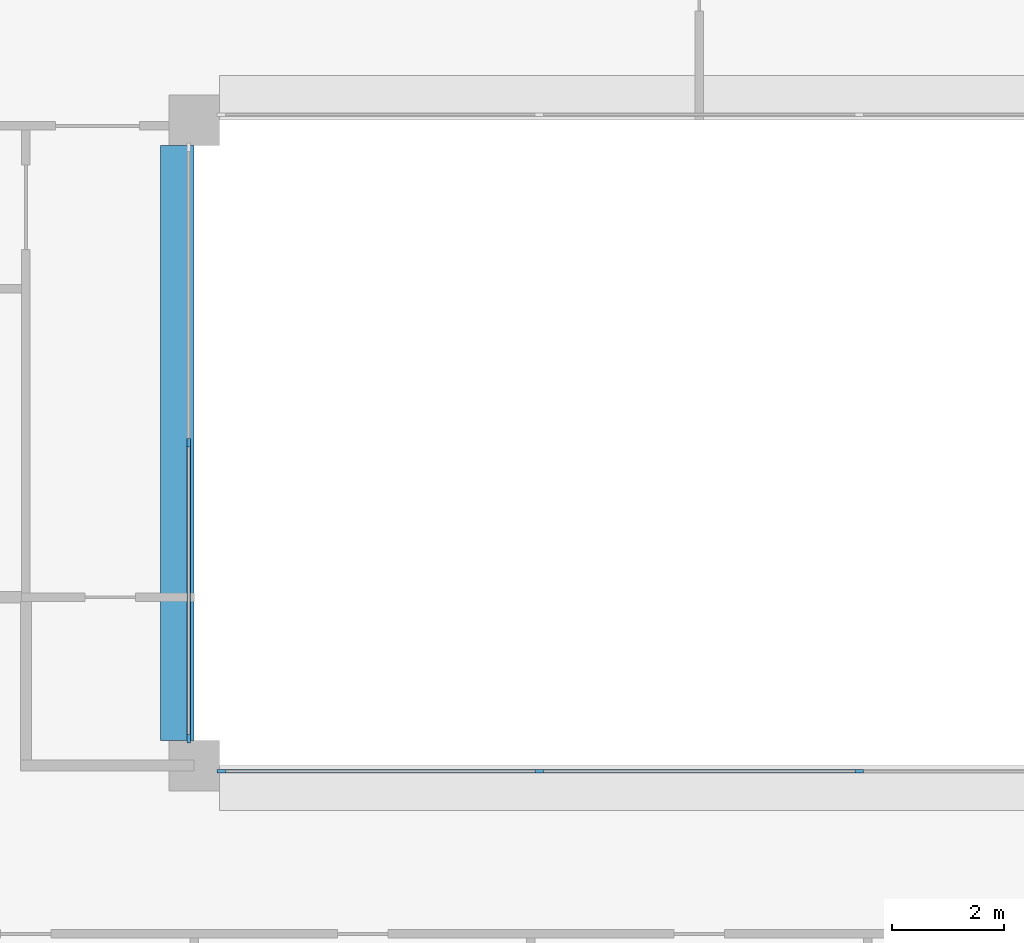
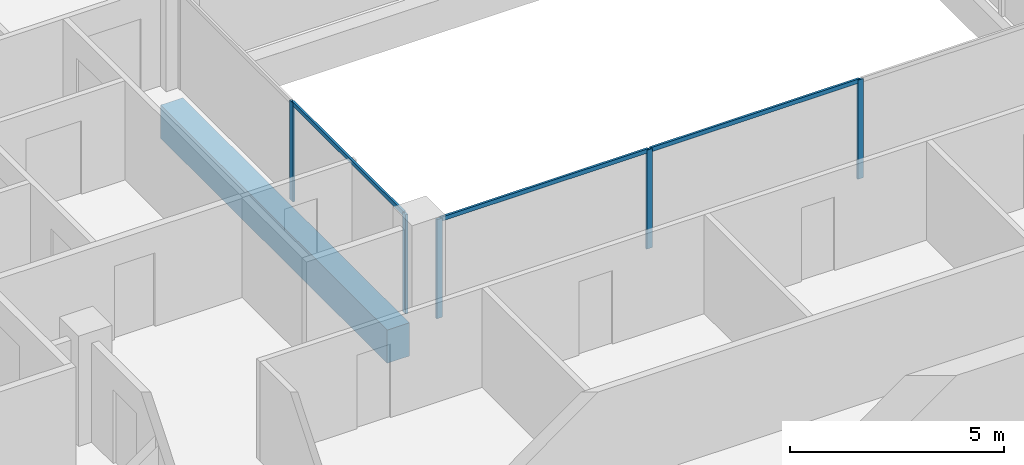
# One storey, part 2 of 16: 8 members, 1 beam, 2 elements without a shape of their own.
"""IFC4 building model written with IfcOpenShell, lengths in metres."""

from ifc_helpers import new_model, si_unit, direction, frame, origin, origin_2d, place, context, subcontext, project, spatial, rectangle, extrude, material, layer, layer_set, material_profile, profile_set, type_object, element, aggregate, save


model = new_model("IFC4")

# Units and contexts
model_context = context("Model", 3, precision=1e-05, world=origin(), true_north=direction((0.0, 1.0)))
body_context = subcontext(model_context, "Body", "Model", "MODEL_VIEW")
ifc_project = project(units=[si_unit("LENGTHUNIT", "METRE"), si_unit("AREAUNIT", "SQUARE_METRE"), si_unit("VOLUMEUNIT", "CUBIC_METRE"), si_unit("PLANEANGLEUNIT", "RADIAN"), si_unit("MASSUNIT", "GRAM", prefix="KILO")], contexts=[model_context])

# Site, building, storey
site_placement = place(None, origin())
site = spatial("IfcSite", under=ifc_project, at=site_placement, CompositionType="ELEMENT")
building_placement = place(site_placement, origin())
building = spatial("IfcBuilding", under=site, at=building_placement, Name="Brigalow Station Residences", CompositionType="ELEMENT")
storey_placement = place(building_placement, frame((0.0, 0.0, 198.0)))
storey = spatial("IfcBuildingStorey", under=building, at=storey_placement, Name="L56", CompositionType="ELEMENT", Elevation=198.0)

# Beam
ifc_material_1 = material(Name="Concrete C65", Category="concrete")
ifc_material_profile_1 = material_profile(ifc_material_1, rectangle(XDim=0.60009765625, YDim=0.949951171875, at=origin_2d()), Name="RC600x950")
ifc_profile_set_1 = profile_set([ifc_material_profile_1], Name="Concrete C65")
beam_type = type_object("IfcBeamType", Name="ATRIUM EDGE GIRDER 600x950 C65", PredefinedType="BEAM", material=ifc_profile_set_1)
beam_placement = place(storey_placement, frame((26.699951171875, 24.449951171875, -0.794921875), z_axis=(0.0, 1.0, 0.0), x_axis=(-1.0, 0.0, 0.0)))
element("IfcBeam", 1, at=beam_placement, inside=storey, type_object=beam_type, Name="ATRIUM EDGE GIRDER 3 L56", PredefinedType="BEAM", context=body_context, shape_type="SweptSolid", body=[
    extrude(rectangle(XDim=0.60009765625, YDim=0.949951171875, at=origin_2d()), origin(), (0.0, 0.0, 1.0), 10.60009765625),
])

# Curtain wall, members
ifc_material_2 = material(Name="Aluminium", Category="aluminium")
ifc_layer = layer(ifc_material_2, 0.14990234375)
ifc_layer_set = layer_set([ifc_layer], Name="ATRIUM FIRE-RATED GLAZING CURTAIN WALL")
curtain_wall_type = type_object("IfcCurtainWallType", Name="ATRIUM FIRE-RATED GLAZING CURTAIN WALL", PredefinedType="NOTDEFINED", material=ifc_layer_set)
curtain_wall_1_placement = place(storey_placement, origin())
curtain_wall_1 = element("IfcCurtainWall", 2, at=curtain_wall_1_placement, inside=storey, type_object=curtain_wall_type, Name="L56/cw/atrium-S", PredefinedType="NOTDEFINED")
ifc_material_3 = material(Name="Aluminium", Category="aluminium")
ifc_material_profile_2 = material_profile(ifc_material_3, rectangle(XDim=0.06005859375, YDim=0.14990234375, at=origin_2d()), Name="ATRIUM FIRE-RATED GLAZING MULLION 60x150")
ifc_profile_set_2 = profile_set([ifc_material_profile_2], Name="Aluminium")
member_type_1 = type_object("IfcMemberType", Name="ATRIUM FIRE-RATED GLAZING MULLION 60x150", PredefinedType="MULLION", material=ifc_profile_set_2)
member_1_placement = place(storey_placement, frame((27.47998046875, 23.89990234375, 0.0), z_axis=(0.0, 0.0, 1.0), x_axis=(0.0, 1.0, 0.0)))
member_1 = element("IfcMember", 3, at=member_1_placement, type_object=member_type_1, Name="L56/cw/atrium-S/M00", PredefinedType="MULLION", context=body_context, shape_type="SweptSolid", body=[
    extrude(rectangle(XDim=0.06005859375, YDim=0.14990234375, at=origin_2d()), origin(), (0.0, 0.0, 1.0), 2.830078125),
])
member_2_placement = place(storey_placement, frame((33.14990234375, 23.89990234375, 0.0), z_axis=(0.0, 0.0, 1.0), x_axis=(0.0, 1.0, 0.0)))
member_2 = element("IfcMember", 4, at=member_2_placement, type_object=member_type_1, Name="L56/cw/atrium-S/M01", PredefinedType="MULLION", context=body_context, shape_type="SweptSolid", body=[
    extrude(rectangle(XDim=0.06005859375, YDim=0.14990234375, at=origin_2d()), origin(), (0.0, 0.0, 1.0), 2.830078125),
])
member_3_placement = place(storey_placement, frame((38.85009765625, 23.89990234375, 0.0), z_axis=(0.0, 0.0, 1.0), x_axis=(0.0, 1.0, 0.0)))
member_3 = element("IfcMember", 5, at=member_3_placement, type_object=member_type_1, Name="L56/cw/atrium-S/M02", PredefinedType="MULLION", context=body_context, shape_type="SweptSolid", body=[
    extrude(rectangle(XDim=0.06005859375, YDim=0.14990234375, at=origin_2d()), origin(), (0.0, 0.0, 1.0), 2.830078125),
])

curtain_wall_2_placement = place(storey_placement, origin())
curtain_wall_2 = element("IfcCurtainWall", 6, at=curtain_wall_2_placement, inside=storey, type_object=curtain_wall_type, Name="L56/cw/atrium-W", PredefinedType="NOTDEFINED")
member_4_placement = place(storey_placement, frame((26.89990234375, 29.75, 0.0), z_axis=(0.0, 0.0, 1.0), x_axis=(1.0, 0.0, 0.0)))
member_4 = element("IfcMember", 7, at=member_4_placement, type_object=member_type_1, Name="L56/cw/atrium-W/M01", PredefinedType="MULLION", context=body_context, shape_type="SweptSolid", body=[
    extrude(rectangle(XDim=0.06005859375, YDim=0.14990234375, at=origin_2d()), origin(), (0.0, 0.0, 1.0), 2.830078125),
])
member_5_placement = place(storey_placement, frame((26.89990234375, 24.47998046875, 0.0), z_axis=(0.0, 0.0, 1.0), x_axis=(1.0, 0.0, 0.0)))
member_5 = element("IfcMember", 8, at=member_5_placement, type_object=member_type_1, Name="L56/cw/atrium-W/M02", PredefinedType="MULLION", context=body_context, shape_type="SweptSolid", body=[
    extrude(rectangle(XDim=0.06005859375, YDim=0.14990234375, at=origin_2d()), origin(), (0.0, 0.0, 1.0), 2.830078125),
])

# Member
ifc_material_4 = material(Name="Aluminium", Category="aluminium")
ifc_material_profile_3 = material_profile(ifc_material_4, rectangle(XDim=0.06005859375, YDim=0.1201171875, at=origin_2d()), Name="ATRIUM FIRE-RATED GLAZING TRANSOM 60x120")
ifc_profile_set_3 = profile_set([ifc_material_profile_3], Name="Aluminium")
member_type_2 = type_object("IfcMemberType", Name="ATRIUM FIRE-RATED GLAZING TRANSOM 60x120", PredefinedType="USERDEFINED", material=ifc_profile_set_3)
member_6_placement = place(storey_placement, frame((27.510009765625, 23.89990234375, 2.800048828125), z_axis=(1.0, 0.0, 0.0), x_axis=(0.0, 1.0, 0.0)))
member_6 = element("IfcMember", 9, at=member_6_placement, type_object=member_type_2, Name="L56/cw/atrium-S/T00-00", ObjectType="TRANSOM", PredefinedType="USERDEFINED", context=body_context, shape_type="SweptSolid", body=[
    extrude(rectangle(XDim=0.06005859375, YDim=0.1201171875, at=origin_2d()), origin(), (0.0, 0.0, 1.0), 5.610107421875),
])

member_7_placement = place(storey_placement, frame((33.179931640625, 23.89990234375, 2.800048828125), z_axis=(1.0, 0.0, 0.0), x_axis=(0.0, 1.0, 0.0)))
member_7 = element("IfcMember", 10, at=member_7_placement, type_object=member_type_2, Name="L56/cw/atrium-S/T01-00", ObjectType="TRANSOM", PredefinedType="USERDEFINED", context=body_context, shape_type="SweptSolid", body=[
    extrude(rectangle(XDim=0.06005859375, YDim=0.1201171875, at=origin_2d()), origin(), (0.0, 0.0, 1.0), 5.64013671875),
])

aggregate(curtain_wall_1, [member_1, member_2, member_3, member_6, member_7])

member_8_placement = place(storey_placement, frame((26.89990234375, 29.719970703125, 2.800048828125), z_axis=(0.0, -1.0, 0.0), x_axis=(1.0, 0.0, 0.0)))
member_8 = element("IfcMember", 11, at=member_8_placement, type_object=member_type_2, Name="L56/cw/atrium-W/T01-00", ObjectType="TRANSOM", PredefinedType="USERDEFINED", context=body_context, shape_type="SweptSolid", body=[
    extrude(rectangle(XDim=0.06005859375, YDim=0.1201171875, at=origin_2d()), origin(), (0.0, 0.0, 1.0), 5.2099609375),
])

aggregate(curtain_wall_2, [member_4, member_5, member_8])

save(model, "model.ifc")
